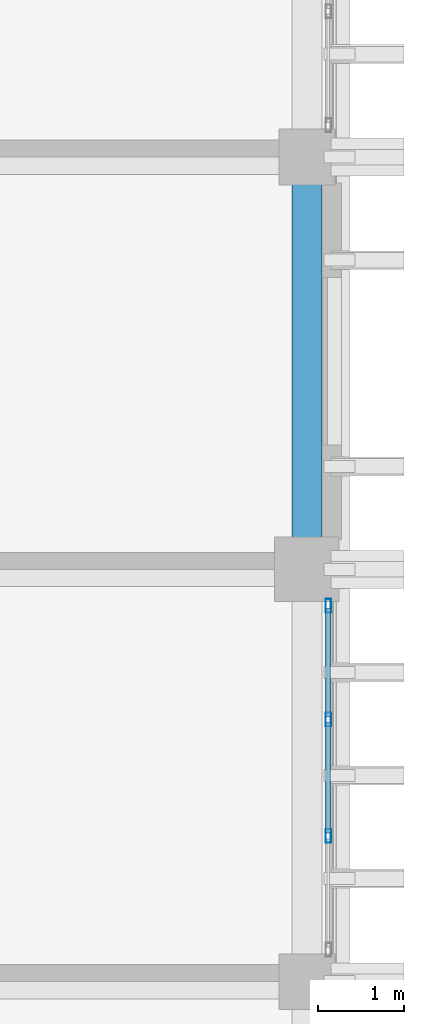
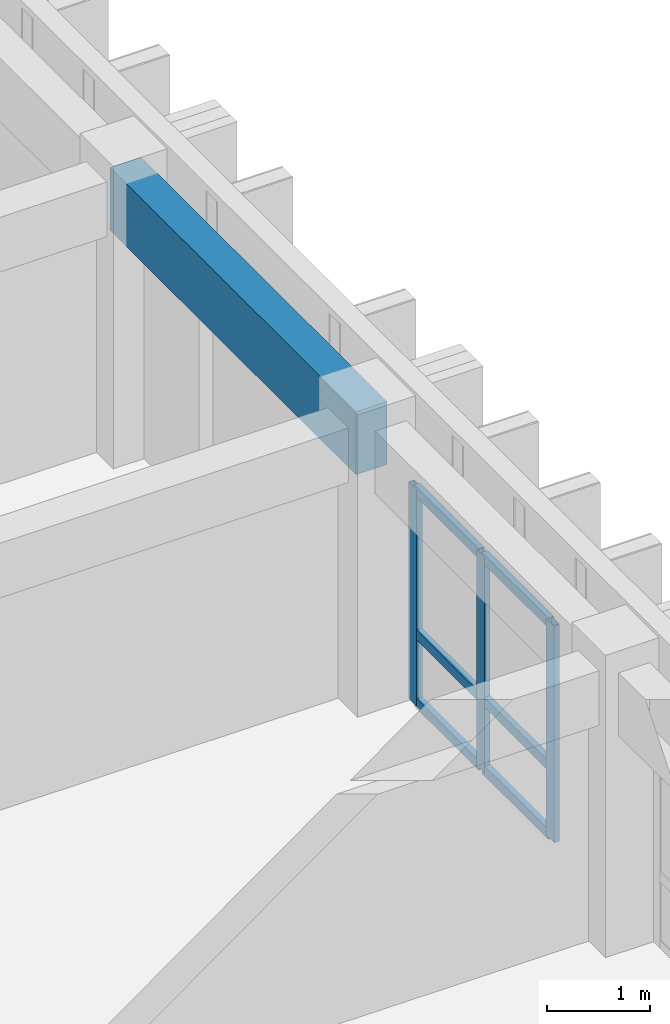
# One storey, part 24 of 64: 9 members, 1 beam, 1 element without a shape of its own.
"""IFC4 building model written with IfcOpenShell, lengths in metres."""

from ifc_helpers import new_model, si_unit, direction, frame, origin, origin_2d, place, context, subcontext, project, spatial, rectangle, hollow_rectangle, extrude, material, layer, layer_set, material_profile, profile_set, type_object, element, aggregate, save


model = new_model("IFC4")

# Units and contexts
model_context = context("Model", 3, precision=1e-05, world=origin(), true_north=direction((0.0, 1.0)))
body_context = subcontext(model_context, "Body", "Model", "MODEL_VIEW")
ifc_project = project(units=[si_unit("LENGTHUNIT", "METRE"), si_unit("AREAUNIT", "SQUARE_METRE"), si_unit("VOLUMEUNIT", "CUBIC_METRE"), si_unit("PLANEANGLEUNIT", "RADIAN"), si_unit("MASSUNIT", "GRAM", prefix="KILO")], contexts=[model_context])

# Site, building, storey
site_placement = place(None, origin())
site = spatial("IfcSite", under=ifc_project, at=site_placement, CompositionType="ELEMENT")
building_placement = place(site_placement, origin())
building = spatial("IfcBuilding", under=site, at=building_placement, Name="Nakhvara Creek Congress Hotel", CompositionType="ELEMENT")
storey_placement = place(building_placement, frame((0.0, 0.0, 28.199951171875)))
storey = spatial("IfcBuildingStorey", under=building, at=storey_placement, Name="L06", CompositionType="ELEMENT", Elevation=28.199951171875)

# Beam
ifc_material_1 = material(Name="Concrete C40/50", Category="concrete")
ifc_material_profile_1 = material_profile(ifc_material_1, rectangle(XDim=0.35009765625, YDim=0.75, at=origin_2d()), Name="RC-SPANDREL 350x750", Category="LoadBearing")
ifc_profile_set_1 = profile_set([ifc_material_profile_1], Name="Concrete C40/50")
beam_type = type_object("IfcBeamType", Name="BM-SPN-350X750", PredefinedType="SPANDREL", material=ifc_profile_set_1)
beam_placement = place(storey_placement, frame((179.35009765625, 76.800048828125, 2.965087890625), z_axis=(0.0, 1.0, 0.0), x_axis=(-1.0, 0.0, 0.0)))
element("IfcBeam", 1, at=beam_placement, inside=storey, type_object=beam_type, Name="Beam SP1-L06-2283", PredefinedType="SPANDREL", context=body_context, shape_type="SweptSolid", body=[
    extrude(rectangle(XDim=0.35009765625, YDim=0.75, at=origin_2d()), origin(), (0.0, 0.0, 1.0), 4.800048828125),
])

# Curtain wall, members
ifc_material_2 = material(Name="Bronze-anodised aluminium AW-6063-T6 and double-silver low-E glass", Category="aluminium")
ifc_layer = layer(ifc_material_2, 0.199951171875)
ifc_layer_set = layer_set([ifc_layer], Name="Bronze-anodised aluminium AW-6063-T6 and double-silver low-E glass")
curtain_wall_type = type_object("IfcCurtainWallType", Name="CW-HTL-UNIT", PredefinedType="USERDEFINED", material=ifc_layer_set)
curtain_wall_placement = place(storey_placement, origin())
curtain_wall = element("IfcCurtainWall", 2, at=curtain_wall_placement, inside=storey, type_object=curtain_wall_type, Name="Curtain Wall CW239", ObjectType="UNITISED", PredefinedType="USERDEFINED")
ifc_material_3 = material(Name="Bronze-anodised aluminium AW-6063-T6", Category="aluminium")
ifc_material_profile_2 = material_profile(ifc_material_3, hollow_rectangle(XDim=0.06494140625, YDim=0.159912109375, WallThickness=0.00390625, at=origin_2d()), Name="ALU-MULL 65x160x4", Category="LoadBearing")
ifc_profile_set_2 = profile_set([ifc_material_profile_2], Name="Bronze-anodised aluminium AW-6063-T6")
member_type_1 = type_object("IfcMemberType", Name="CW-MULL-160", PredefinedType="MULLION", material=ifc_profile_set_2)
member_1_placement = place(storey_placement, frame((179.60009765625, 76.37744140625, 0.0), z_axis=(0.0, 0.0, 1.0), x_axis=(1.0, 0.0, 0.0)))
member_1 = element("IfcMember", 3, at=member_1_placement, type_object=member_type_1, Name="CW239 mullion 1", PredefinedType="MULLION", context=body_context, shape_type="SweptSolid", body=[
    extrude(hollow_rectangle(XDim=0.06494140625, YDim=0.159912109375, WallThickness=0.00390625, at=origin_2d()), origin(), (0.0, 0.0, 1.0), 2.58203125),
])
member_2_placement = place(storey_placement, frame((179.60009765625, 75.05322265625, 0.0), z_axis=(0.0, 0.0, 1.0), x_axis=(1.0, 0.0, 0.0)))
member_2 = element("IfcMember", 4, at=member_2_placement, type_object=member_type_1, Name="CW239 mullion 2", PredefinedType="MULLION", context=body_context, shape_type="SweptSolid", body=[
    extrude(hollow_rectangle(XDim=0.06494140625, YDim=0.159912109375, WallThickness=0.00390625, at=origin_2d()), origin(), (0.0, 0.0, 1.0), 2.58203125),
])
member_3_placement = place(storey_placement, frame((179.60009765625, 73.69677734375, 0.0), z_axis=(0.0, 0.0, 1.0), x_axis=(1.0, 0.0, 0.0)))
member_3 = element("IfcMember", 5, at=member_3_placement, type_object=member_type_1, Name="CW239 mullion 3", PredefinedType="MULLION", context=body_context, shape_type="SweptSolid", body=[
    extrude(hollow_rectangle(XDim=0.06494140625, YDim=0.159912109375, WallThickness=0.00390625, at=origin_2d()), origin(), (0.0, 0.0, 1.0), 2.58203125),
])
ifc_material_profile_3 = material_profile(ifc_material_3, hollow_rectangle(XDim=0.06494140625, YDim=0.1201171875, WallThickness=0.00390625, at=origin_2d()), Name="ALU-TRAN 65x120x4", Category="LoadBearing")
ifc_profile_set_3 = profile_set([ifc_material_profile_3], Name="Bronze-anodised aluminium AW-6063-T6")
member_type_2 = type_object("IfcMemberType", Name="CW-TRAN-120", PredefinedType="USERDEFINED", material=ifc_profile_set_3)
member_4_placement = place(storey_placement, frame((179.60009765625, 76.344970703125, 0.032470703125), z_axis=(0.0, -1.0, 0.0), x_axis=(1.0, 0.0, 0.0)))
member_4 = element("IfcMember", 6, at=member_4_placement, type_object=member_type_2, Name="CW239 transom 1.1", ObjectType="TRANSOM", PredefinedType="USERDEFINED", context=body_context, shape_type="SweptSolid", body=[
    extrude(hollow_rectangle(XDim=0.06494140625, YDim=0.1201171875, WallThickness=0.00390625, at=origin_2d()), origin(), (0.0, 0.0, 1.0), 1.259033203125),
])
member_5_placement = place(storey_placement, frame((179.60009765625, 76.344970703125, 0.85009765625), z_axis=(0.0, -1.0, 0.0), x_axis=(1.0, 0.0, 0.0)))
member_5 = element("IfcMember", 7, at=member_5_placement, type_object=member_type_2, Name="CW239 transom 1.2", ObjectType="TRANSOM", PredefinedType="USERDEFINED", context=body_context, shape_type="SweptSolid", body=[
    extrude(hollow_rectangle(XDim=0.06494140625, YDim=0.1201171875, WallThickness=0.00390625, at=origin_2d()), origin(), (0.0, 0.0, 1.0), 1.259033203125),
])
member_6_placement = place(storey_placement, frame((179.60009765625, 76.344970703125, 2.549560546875), z_axis=(0.0, -1.0, 0.0), x_axis=(1.0, 0.0, 0.0)))
member_6 = element("IfcMember", 8, at=member_6_placement, type_object=member_type_2, Name="CW239 transom 1.3", ObjectType="TRANSOM", PredefinedType="USERDEFINED", context=body_context, shape_type="SweptSolid", body=[
    extrude(hollow_rectangle(XDim=0.06494140625, YDim=0.1201171875, WallThickness=0.00390625, at=origin_2d()), origin(), (0.0, 0.0, 1.0), 1.259033203125),
])
member_7_placement = place(storey_placement, frame((179.60009765625, 75.020751953125, 0.032470703125), z_axis=(0.0, -1.0, 0.0), x_axis=(1.0, 0.0, 0.0)))
member_7 = element("IfcMember", 9, at=member_7_placement, type_object=member_type_2, Name="CW239 transom 2.1", ObjectType="TRANSOM", PredefinedType="USERDEFINED", context=body_context, shape_type="SweptSolid", body=[
    extrude(hollow_rectangle(XDim=0.06494140625, YDim=0.1201171875, WallThickness=0.00390625, at=origin_2d()), origin(), (0.0, 0.0, 1.0), 1.29150390625),
])
member_8_placement = place(storey_placement, frame((179.60009765625, 75.020751953125, 0.85009765625), z_axis=(0.0, -1.0, 0.0), x_axis=(1.0, 0.0, 0.0)))
member_8 = element("IfcMember", 10, at=member_8_placement, type_object=member_type_2, Name="CW239 transom 2.2", ObjectType="TRANSOM", PredefinedType="USERDEFINED", context=body_context, shape_type="SweptSolid", body=[
    extrude(hollow_rectangle(XDim=0.06494140625, YDim=0.1201171875, WallThickness=0.00390625, at=origin_2d()), origin(), (0.0, 0.0, 1.0), 1.29150390625),
])
member_9_placement = place(storey_placement, frame((179.60009765625, 75.020751953125, 2.549560546875), z_axis=(0.0, -1.0, 0.0), x_axis=(1.0, 0.0, 0.0)))
member_9 = element("IfcMember", 11, at=member_9_placement, type_object=member_type_2, Name="CW239 transom 2.3", ObjectType="TRANSOM", PredefinedType="USERDEFINED", context=body_context, shape_type="SweptSolid", body=[
    extrude(hollow_rectangle(XDim=0.06494140625, YDim=0.1201171875, WallThickness=0.00390625, at=origin_2d()), origin(), (0.0, 0.0, 1.0), 1.29150390625),
])
aggregate(curtain_wall, [member_1, member_2, member_3, member_4, member_5, member_6, member_7, member_8, member_9])

save(model, "model.ifc")
